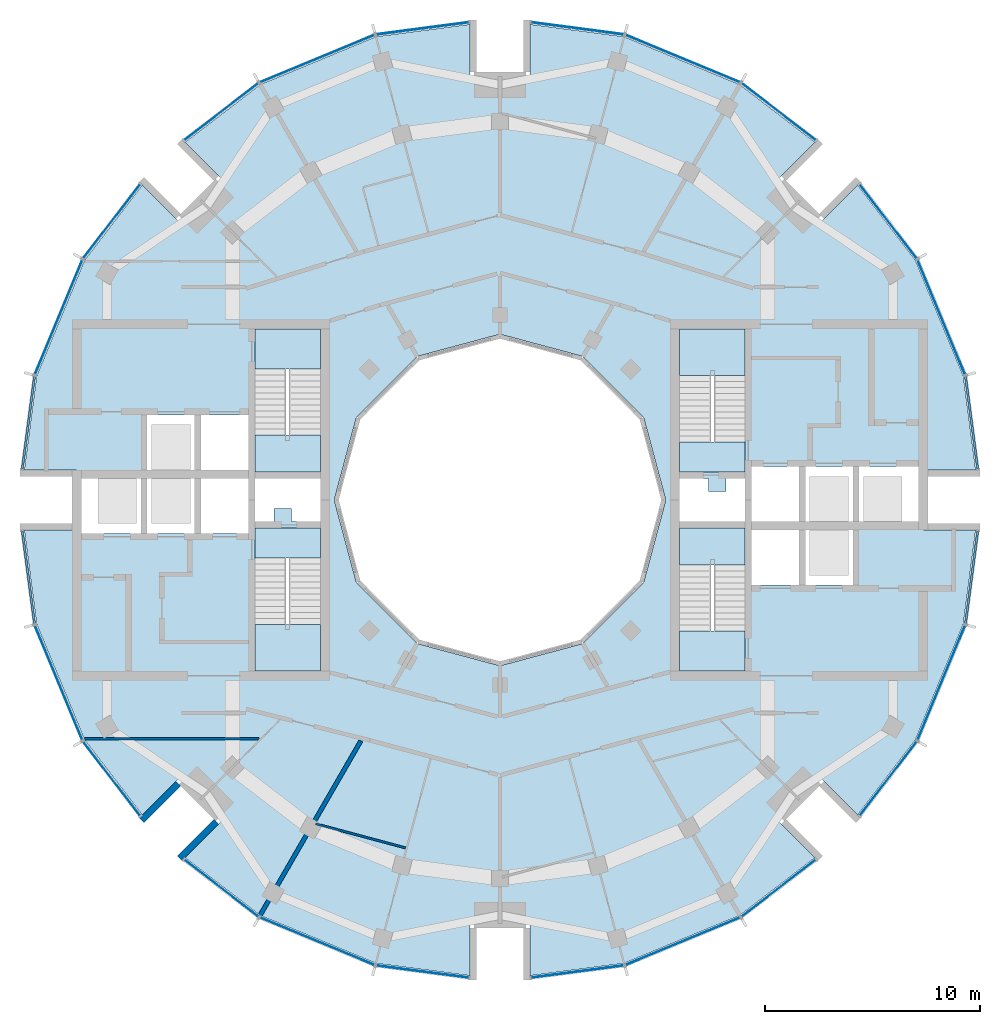
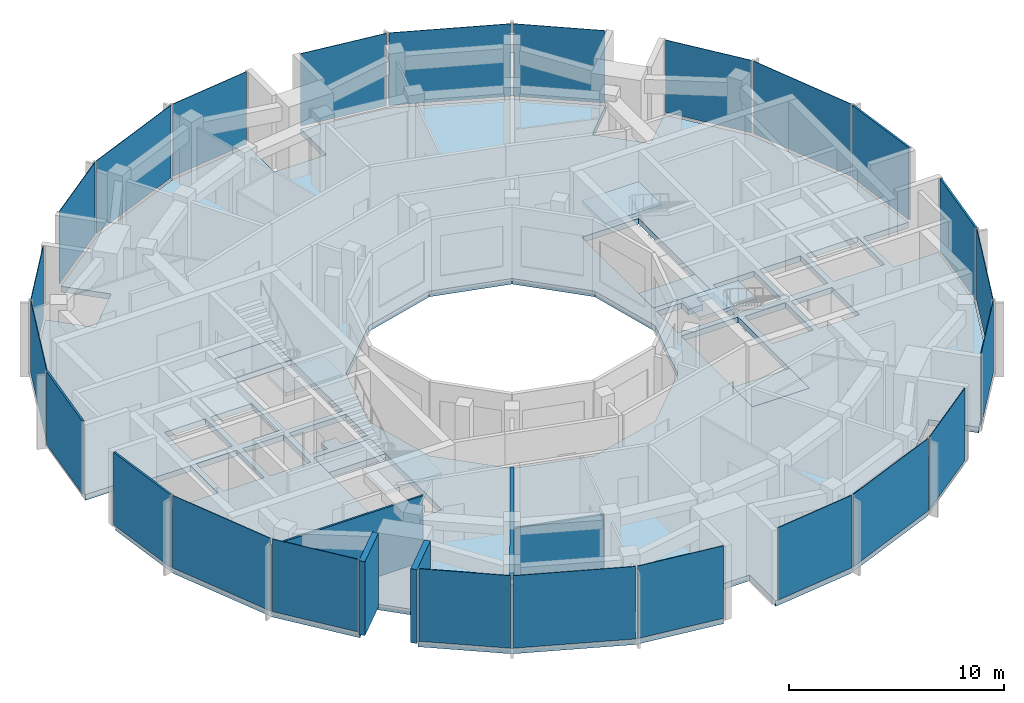
# One storey, part 7 of 14: 24 plates, 9 slabs, 5 walls, 28 elements without a shape of their own.
"""IFC4 building model written with IfcOpenShell, lengths in metres."""

from ifc_helpers import new_model, si_unit, direction, frame, frame_2d, origin, origin_2d, place, context, subcontext, project, spatial, polyline, rectangle, outline, extrude, material, layer, layer_set, type_object, element, aggregate, save


model = new_model("IFC4")

# Units and contexts
model_context = context("Model", 3, precision=1e-05, world=origin(), true_north=direction((0.0, 1.0)))
body_context = subcontext(model_context, "Body", "Model", "MODEL_VIEW")
ifc_project = project(units=[si_unit("LENGTHUNIT", "METRE"), si_unit("AREAUNIT", "SQUARE_METRE"), si_unit("VOLUMEUNIT", "CUBIC_METRE"), si_unit("PLANEANGLEUNIT", "RADIAN"), si_unit("MASSUNIT", "GRAM", prefix="KILO")], contexts=[model_context])

# Site, building, storey
site_placement = place(None, origin())
site = spatial("IfcSite", under=ifc_project, at=site_placement, CompositionType="ELEMENT")
building_placement = place(site_placement, origin())
building = spatial("IfcBuilding", under=site, at=building_placement, Name="Torre Brocal", CompositionType="ELEMENT")
storey_placement = place(building_placement, frame((0.0, 0.0, 305.10009765625)))
storey = spatial("IfcBuildingStorey", under=building, at=storey_placement, Name="L70", CompositionType="ELEMENT", Elevation=305.10009765625)

# Curtain wall, plate
ifc_material_1 = material(Name="Aluminium and glass", Category="aluminium")
ifc_layer_1 = layer(ifc_material_1, 0.199951171875)
ifc_layer_set_1 = layer_set([ifc_layer_1], Name="Aluminium and glass")
curtain_wall_type_1 = type_object("IfcCurtainWallType", Name="CW-1 CURTAIN WALL 4200 HIGH", PredefinedType="NOTDEFINED", material=ifc_layer_set_1)
curtain_wall_1_placement = place(storey_placement, origin())
curtain_wall_1 = element("IfcCurtainWall", 1, at=curtain_wall_1_placement, inside=storey, type_object=curtain_wall_type_1, Name="CW-1 RUN 2", PredefinedType="NOTDEFINED")
ifc_material_2 = material(Name="Glass, dark tinted laminated", Category="glass")
ifc_layer_2 = layer(ifc_material_2, 0.031982421875)
ifc_layer_set_2 = layer_set([ifc_layer_2], Name="Glass, dark tinted laminated")
plate_type_1 = type_object("IfcPlateType", Name="CW-1 GLASS PANEL 32", PredefinedType="CURTAIN_PANEL", material=ifc_layer_set_2)
plate_1_placement = place(storey_placement, frame((100.51708984375, 83.49853515625, 0.079833984375), z_axis=(0.0, 0.0, 1.0), x_axis=(-0.382683432284, 0.923879532545, 0.0)))
plate_1 = element("IfcPlate", 2, at=plate_1_placement, type_object=plate_type_1, Name="CW1-5 panel 1.1", PredefinedType="CURTAIN_PANEL", context=body_context, shape_type="SweptSolid", body=[
    extrude(rectangle(XDim=5.727294921875, YDim=0.031982421875, at=origin_2d()), origin(), (0.0, 0.0, 1.0), 4.1201171875),
])
aggregate(curtain_wall_1, [plate_1])

curtain_wall_2_placement = place(storey_placement, origin())
curtain_wall_2 = element("IfcCurtainWall", 3, at=curtain_wall_2_placement, inside=storey, type_object=curtain_wall_type_1, Name="CW-1 RUN 3", PredefinedType="NOTDEFINED")
plate_2_placement = place(storey_placement, frame((98.048095703125, 87.958984375, 0.079833984375), z_axis=(0.0, 0.0, 1.0), x_axis=(-0.608761429064, 0.793353340249, 0.0)))
plate_2 = element("IfcPlate", 4, at=plate_2_placement, type_object=plate_type_1, Name="CW1-5 panel 1.1", PredefinedType="CURTAIN_PANEL", context=body_context, shape_type="SweptSolid", body=[
    extrude(rectangle(XDim=4.315185546875, YDim=0.031982421875, at=origin_2d()), origin(), (0.0, 0.0, 1.0), 4.1201171875),
])
aggregate(curtain_wall_2, [plate_2])

curtain_wall_3_placement = place(storey_placement, origin())
curtain_wall_3 = element("IfcCurtainWall", 5, at=curtain_wall_3_placement, inside=storey, type_object=curtain_wall_type_1, Name="CW-1 RUN 4", PredefinedType="NOTDEFINED")
plate_3_placement = place(storey_placement, frame((92.958984375, 93.048095703125, 0.079833984375), z_axis=(0.0, 0.0, 1.0), x_axis=(-0.793353340249, 0.608761429064, 0.0)))
plate_3 = element("IfcPlate", 6, at=plate_3_placement, type_object=plate_type_1, Name="CW1-5 panel 1.1", PredefinedType="CURTAIN_PANEL", context=body_context, shape_type="SweptSolid", body=[
    extrude(rectangle(XDim=4.315185546875, YDim=0.031982421875, at=origin_2d()), origin(), (0.0, 0.0, 1.0), 4.1201171875),
])
aggregate(curtain_wall_3, [plate_3])

curtain_wall_4_placement = place(storey_placement, origin())
curtain_wall_4 = element("IfcCurtainWall", 7, at=curtain_wall_4_placement, inside=storey, type_object=curtain_wall_type_1, Name="CW-1 RUN 5", PredefinedType="NOTDEFINED")
plate_4_placement = place(storey_placement, frame((88.49853515625, 95.51708984375, 0.079833984375), z_axis=(0.0, 0.0, 1.0), x_axis=(-0.923879532545, 0.382683432284, 0.0)))
plate_4 = element("IfcPlate", 8, at=plate_4_placement, type_object=plate_type_1, Name="CW1-5 panel 1.1", PredefinedType="CURTAIN_PANEL", context=body_context, shape_type="SweptSolid", body=[
    extrude(rectangle(XDim=5.727294921875, YDim=0.031982421875, at=origin_2d()), origin(), (0.0, 0.0, 1.0), 4.1201171875),
])
aggregate(curtain_wall_4, [plate_4])

curtain_wall_5_placement = place(storey_placement, origin())
curtain_wall_5 = element("IfcCurtainWall", 9, at=curtain_wall_5_placement, inside=storey, type_object=curtain_wall_type_1, Name="CW-1 RUN 6", PredefinedType="NOTDEFINED")
plate_5_placement = place(storey_placement, frame((83.5986328125, 96.92529296875, 0.079833984375), z_axis=(0.0, 0.0, 1.0), x_axis=(-0.991444861374, 0.13052619222, 0.0)))
plate_5 = element("IfcPlate", 10, at=plate_5_placement, type_object=plate_type_1, Name="CW1-5 panel 1.1", PredefinedType="CURTAIN_PANEL", context=body_context, shape_type="SweptSolid", body=[
    extrude(rectangle(XDim=4.315185546875, YDim=0.031982421875, at=origin_2d()), origin(), (0.0, 0.0, 1.0), 4.1201171875),
])
aggregate(curtain_wall_5, [plate_5])

curtain_wall_6_placement = place(storey_placement, origin())
curtain_wall_6 = element("IfcCurtainWall", 11, at=curtain_wall_6_placement, inside=storey, type_object=curtain_wall_type_1, Name="CW-1 RUN 7", PredefinedType="NOTDEFINED")
plate_6_placement = place(storey_placement, frame((76.4013671875, 96.92529296875, 0.079833984375), z_axis=(0.0, 0.0, 1.0), x_axis=(-0.991444861374, -0.13052619222, 0.0)))
plate_6 = element("IfcPlate", 12, at=plate_6_placement, type_object=plate_type_1, Name="CW1-5 panel 1.1", PredefinedType="CURTAIN_PANEL", context=body_context, shape_type="SweptSolid", body=[
    extrude(rectangle(XDim=4.315185546875, YDim=0.031982421875, at=origin_2d()), origin(), (0.0, 0.0, 1.0), 4.1201171875),
])
aggregate(curtain_wall_6, [plate_6])

curtain_wall_7_placement = place(storey_placement, origin())
curtain_wall_7 = element("IfcCurtainWall", 13, at=curtain_wall_7_placement, inside=storey, type_object=curtain_wall_type_1, Name="CW-1 RUN 8", PredefinedType="NOTDEFINED")
plate_7_placement = place(storey_placement, frame((71.50146484375, 95.51708984375, 0.079833984375), z_axis=(0.0, 0.0, 1.0), x_axis=(-0.923879532545, -0.382683432284, 0.0)))
plate_7 = element("IfcPlate", 14, at=plate_7_placement, type_object=plate_type_1, Name="CW1-5 panel 1.1", PredefinedType="CURTAIN_PANEL", context=body_context, shape_type="SweptSolid", body=[
    extrude(rectangle(XDim=5.727294921875, YDim=0.031982421875, at=origin_2d()), origin(), (0.0, 0.0, 1.0), 4.1201171875),
])
aggregate(curtain_wall_7, [plate_7])

curtain_wall_8_placement = place(storey_placement, origin())
curtain_wall_8 = element("IfcCurtainWall", 15, at=curtain_wall_8_placement, inside=storey, type_object=curtain_wall_type_1, Name="CW-1 RUN 9", PredefinedType="NOTDEFINED")
plate_8_placement = place(storey_placement, frame((67.041015625, 93.048095703125, 0.079833984375), z_axis=(0.0, 0.0, 1.0), x_axis=(-0.793353340249, -0.608761429064, 0.0)))
plate_8 = element("IfcPlate", 16, at=plate_8_placement, type_object=plate_type_1, Name="CW1-5 panel 1.1", PredefinedType="CURTAIN_PANEL", context=body_context, shape_type="SweptSolid", body=[
    extrude(rectangle(XDim=4.315185546875, YDim=0.031982421875, at=origin_2d()), origin(), (0.0, 0.0, 1.0), 4.1201171875),
])
aggregate(curtain_wall_8, [plate_8])

curtain_wall_9_placement = place(storey_placement, origin())
curtain_wall_9 = element("IfcCurtainWall", 17, at=curtain_wall_9_placement, inside=storey, type_object=curtain_wall_type_1, Name="CW-1 RUN 10", PredefinedType="NOTDEFINED")
plate_9_placement = place(storey_placement, frame((61.951904296875, 87.958984375, 0.079833984375), z_axis=(0.0, 0.0, 1.0), x_axis=(-0.608761429064, -0.793353340249, 0.0)))
plate_9 = element("IfcPlate", 18, at=plate_9_placement, type_object=plate_type_1, Name="CW1-5 panel 1.1", PredefinedType="CURTAIN_PANEL", context=body_context, shape_type="SweptSolid", body=[
    extrude(rectangle(XDim=4.315185546875, YDim=0.031982421875, at=origin_2d()), origin(), (0.0, 0.0, 1.0), 4.1201171875),
])
aggregate(curtain_wall_9, [plate_9])

curtain_wall_10_placement = place(storey_placement, origin())
curtain_wall_10 = element("IfcCurtainWall", 19, at=curtain_wall_10_placement, inside=storey, type_object=curtain_wall_type_1, Name="CW-1 RUN 11", PredefinedType="NOTDEFINED")
plate_10_placement = place(storey_placement, frame((59.48291015625, 83.49853515625, 0.079833984375), z_axis=(0.0, 0.0, 1.0), x_axis=(-0.382683432284, -0.923879532545, 0.0)))
plate_10 = element("IfcPlate", 20, at=plate_10_placement, type_object=plate_type_1, Name="CW1-5 panel 1.1", PredefinedType="CURTAIN_PANEL", context=body_context, shape_type="SweptSolid", body=[
    extrude(rectangle(XDim=5.727294921875, YDim=0.031982421875, at=origin_2d()), origin(), (0.0, 0.0, 1.0), 4.1201171875),
])
aggregate(curtain_wall_10, [plate_10])

curtain_wall_11_placement = place(storey_placement, origin())
curtain_wall_11 = element("IfcCurtainWall", 21, at=curtain_wall_11_placement, inside=storey, type_object=curtain_wall_type_1, Name="CW-1 RUN 14", PredefinedType="NOTDEFINED")
plate_11_placement = place(storey_placement, frame((59.48291015625, 66.50146484375, 0.079833984375), z_axis=(0.0, 0.0, 1.0), x_axis=(0.382683432284, -0.923879532545, 0.0)))
plate_11 = element("IfcPlate", 22, at=plate_11_placement, type_object=plate_type_1, Name="CW1-5 panel 1.1", PredefinedType="CURTAIN_PANEL", context=body_context, shape_type="SweptSolid", body=[
    extrude(rectangle(XDim=5.727294921875, YDim=0.031982421875, at=origin_2d()), origin(), (0.0, 0.0, 1.0), 4.1201171875),
])
aggregate(curtain_wall_11, [plate_11])

curtain_wall_12_placement = place(storey_placement, origin())
curtain_wall_12 = element("IfcCurtainWall", 23, at=curtain_wall_12_placement, inside=storey, type_object=curtain_wall_type_1, Name="CW-1 RUN 15", PredefinedType="NOTDEFINED")
plate_12_placement = place(storey_placement, frame((61.951904296875, 62.041015625, 0.079833984375), z_axis=(0.0, 0.0, 1.0), x_axis=(0.608761429064, -0.793353340249, 0.0)))
plate_12 = element("IfcPlate", 24, at=plate_12_placement, type_object=plate_type_1, Name="CW1-5 panel 1.1", PredefinedType="CURTAIN_PANEL", context=body_context, shape_type="SweptSolid", body=[
    extrude(rectangle(XDim=4.315185546875, YDim=0.031982421875, at=origin_2d()), origin(), (0.0, 0.0, 1.0), 4.1201171875),
])
aggregate(curtain_wall_12, [plate_12])

curtain_wall_13_placement = place(storey_placement, origin())
curtain_wall_13 = element("IfcCurtainWall", 25, at=curtain_wall_13_placement, inside=storey, type_object=curtain_wall_type_1, Name="CW-1 RUN 16", PredefinedType="NOTDEFINED")
plate_13_placement = place(storey_placement, frame((67.041015625, 56.951904296875, 0.079833984375), z_axis=(0.0, 0.0, 1.0), x_axis=(0.793353340249, -0.608761429064, 0.0)))
plate_13 = element("IfcPlate", 26, at=plate_13_placement, type_object=plate_type_1, Name="CW1-5 panel 1.1", PredefinedType="CURTAIN_PANEL", context=body_context, shape_type="SweptSolid", body=[
    extrude(rectangle(XDim=4.315185546875, YDim=0.031982421875, at=origin_2d()), origin(), (0.0, 0.0, 1.0), 4.1201171875),
])
aggregate(curtain_wall_13, [plate_13])

curtain_wall_14_placement = place(storey_placement, origin())
curtain_wall_14 = element("IfcCurtainWall", 27, at=curtain_wall_14_placement, inside=storey, type_object=curtain_wall_type_1, Name="CW-1 RUN 17", PredefinedType="NOTDEFINED")
plate_14_placement = place(storey_placement, frame((71.50146484375, 54.48291015625, 0.079833984375), z_axis=(0.0, 0.0, 1.0), x_axis=(0.923879532545, -0.382683432284, 0.0)))
plate_14 = element("IfcPlate", 28, at=plate_14_placement, type_object=plate_type_1, Name="CW1-5 panel 1.1", PredefinedType="CURTAIN_PANEL", context=body_context, shape_type="SweptSolid", body=[
    extrude(rectangle(XDim=5.727294921875, YDim=0.031982421875, at=origin_2d()), origin(), (0.0, 0.0, 1.0), 4.1201171875),
])
aggregate(curtain_wall_14, [plate_14])

curtain_wall_15_placement = place(storey_placement, origin())
curtain_wall_15 = element("IfcCurtainWall", 29, at=curtain_wall_15_placement, inside=storey, type_object=curtain_wall_type_1, Name="CW-1 RUN 18", PredefinedType="NOTDEFINED")
plate_15_placement = place(storey_placement, frame((76.4013671875, 53.07470703125, 0.079833984375), z_axis=(0.0, 0.0, 1.0), x_axis=(0.991444861374, -0.13052619222, 0.0)))
plate_15 = element("IfcPlate", 30, at=plate_15_placement, type_object=plate_type_1, Name="CW1-5 panel 1.1", PredefinedType="CURTAIN_PANEL", context=body_context, shape_type="SweptSolid", body=[
    extrude(rectangle(XDim=4.315185546875, YDim=0.031982421875, at=origin_2d()), origin(), (0.0, 0.0, 1.0), 4.1201171875),
])
aggregate(curtain_wall_15, [plate_15])

curtain_wall_16_placement = place(storey_placement, origin())
curtain_wall_16 = element("IfcCurtainWall", 31, at=curtain_wall_16_placement, inside=storey, type_object=curtain_wall_type_1, Name="CW-1 RUN 19", PredefinedType="NOTDEFINED")
plate_16_placement = place(storey_placement, frame((83.5986328125, 53.07470703125, 0.079833984375), z_axis=(0.0, 0.0, 1.0), x_axis=(0.991444861374, 0.13052619222, 0.0)))
plate_16 = element("IfcPlate", 32, at=plate_16_placement, type_object=plate_type_1, Name="CW1-5 panel 1.1", PredefinedType="CURTAIN_PANEL", context=body_context, shape_type="SweptSolid", body=[
    extrude(rectangle(XDim=4.315185546875, YDim=0.031982421875, at=origin_2d()), origin(), (0.0, 0.0, 1.0), 4.1201171875),
])
aggregate(curtain_wall_16, [plate_16])

curtain_wall_17_placement = place(storey_placement, origin())
curtain_wall_17 = element("IfcCurtainWall", 33, at=curtain_wall_17_placement, inside=storey, type_object=curtain_wall_type_1, Name="CW-1 RUN 20", PredefinedType="NOTDEFINED")
plate_17_placement = place(storey_placement, frame((88.49853515625, 54.48291015625, 0.079833984375), z_axis=(0.0, 0.0, 1.0), x_axis=(0.923879532545, 0.382683432284, 0.0)))
plate_17 = element("IfcPlate", 34, at=plate_17_placement, type_object=plate_type_1, Name="CW1-5 panel 1.1", PredefinedType="CURTAIN_PANEL", context=body_context, shape_type="SweptSolid", body=[
    extrude(rectangle(XDim=5.727294921875, YDim=0.031982421875, at=origin_2d()), origin(), (0.0, 0.0, 1.0), 4.1201171875),
])
aggregate(curtain_wall_17, [plate_17])

curtain_wall_18_placement = place(storey_placement, origin())
curtain_wall_18 = element("IfcCurtainWall", 35, at=curtain_wall_18_placement, inside=storey, type_object=curtain_wall_type_1, Name="CW-1 RUN 21", PredefinedType="NOTDEFINED")
plate_18_placement = place(storey_placement, frame((92.958984375, 56.951904296875, 0.079833984375), z_axis=(0.0, 0.0, 1.0), x_axis=(0.793353340249, 0.608761429064, 0.0)))
plate_18 = element("IfcPlate", 36, at=plate_18_placement, type_object=plate_type_1, Name="CW1-5 panel 1.1", PredefinedType="CURTAIN_PANEL", context=body_context, shape_type="SweptSolid", body=[
    extrude(rectangle(XDim=4.315185546875, YDim=0.031982421875, at=origin_2d()), origin(), (0.0, 0.0, 1.0), 4.1201171875),
])
aggregate(curtain_wall_18, [plate_18])

curtain_wall_19_placement = place(storey_placement, origin())
curtain_wall_19 = element("IfcCurtainWall", 37, at=curtain_wall_19_placement, inside=storey, type_object=curtain_wall_type_1, Name="CW-1 RUN 22", PredefinedType="NOTDEFINED")
plate_19_placement = place(storey_placement, frame((98.048095703125, 62.041015625, 0.079833984375), z_axis=(0.0, 0.0, 1.0), x_axis=(0.608761429064, 0.793353340249, 0.0)))
plate_19 = element("IfcPlate", 38, at=plate_19_placement, type_object=plate_type_1, Name="CW1-5 panel 1.1", PredefinedType="CURTAIN_PANEL", context=body_context, shape_type="SweptSolid", body=[
    extrude(rectangle(XDim=4.315185546875, YDim=0.031982421875, at=origin_2d()), origin(), (0.0, 0.0, 1.0), 4.1201171875),
])
aggregate(curtain_wall_19, [plate_19])

curtain_wall_20_placement = place(storey_placement, origin())
curtain_wall_20 = element("IfcCurtainWall", 39, at=curtain_wall_20_placement, inside=storey, type_object=curtain_wall_type_1, Name="CW-1 RUN 23", PredefinedType="NOTDEFINED")
plate_20_placement = place(storey_placement, frame((100.51708984375, 66.50146484375, 0.079833984375), z_axis=(0.0, 0.0, 1.0), x_axis=(0.382683432284, 0.923879532545, 0.0)))
plate_20 = element("IfcPlate", 40, at=plate_20_placement, type_object=plate_type_1, Name="CW1-5 panel 1.1", PredefinedType="CURTAIN_PANEL", context=body_context, shape_type="SweptSolid", body=[
    extrude(rectangle(XDim=5.727294921875, YDim=0.031982421875, at=origin_2d()), origin(), (0.0, 0.0, 1.0), 4.1201171875),
])
aggregate(curtain_wall_20, [plate_20])

ifc_material_3 = material(Name="Aluminium and glass", Category="aluminium")
ifc_layer_3 = layer(ifc_material_3, 0.199951171875)
ifc_layer_set_3 = layer_set([ifc_layer_3], Name="Aluminium and glass")
curtain_wall_type_2 = type_object("IfcCurtainWallType", Name="CW-1B CURTAIN WALL 4200 HIGH", PredefinedType="NOTDEFINED", material=ifc_layer_set_3)
curtain_wall_21_placement = place(storey_placement, origin())
curtain_wall_21 = element("IfcCurtainWall", 41, at=curtain_wall_21_placement, inside=storey, type_object=curtain_wall_type_2, Name="CW-1B RUN 1", PredefinedType="NOTDEFINED")
ifc_material_4 = material(Name="Aluminium composite panel", Category="aluminium")
ifc_layer_4 = layer(ifc_material_4, 0.10009765625)
ifc_layer_set_4 = layer_set([ifc_layer_4], Name="Aluminium composite panel")
plate_type_2 = type_object("IfcPlateType", Name="CW-1B OPAQUE PANEL 100", PredefinedType="CURTAIN_PANEL", material=ifc_layer_set_4)
plate_21_placement = place(storey_placement, frame((101.92529296875, 78.5986328125, 0.079833984375), z_axis=(0.0, 0.0, 1.0), x_axis=(-0.13052619222, 0.991444861374, 0.0)))
plate_21 = element("IfcPlate", 42, at=plate_21_placement, type_object=plate_type_2, Name="CW1B-5 panel 1.1", PredefinedType="CURTAIN_PANEL", context=body_context, shape_type="SweptSolid", body=[
    extrude(rectangle(XDim=4.315185546875, YDim=0.10009765625, at=origin_2d()), origin(), (0.0, 0.0, 1.0), 4.1201171875),
])
aggregate(curtain_wall_21, [plate_21])

curtain_wall_22_placement = place(storey_placement, origin())
curtain_wall_22 = element("IfcCurtainWall", 43, at=curtain_wall_22_placement, inside=storey, type_object=curtain_wall_type_2, Name="CW-1B RUN 12", PredefinedType="NOTDEFINED")
plate_22_placement = place(storey_placement, frame((58.07470703125, 78.5986328125, 0.079833984375), z_axis=(0.0, 0.0, 1.0), x_axis=(-0.13052619222, -0.991444861374, 0.0)))
plate_22 = element("IfcPlate", 44, at=plate_22_placement, type_object=plate_type_2, Name="CW1B-5 panel 1.1", PredefinedType="CURTAIN_PANEL", context=body_context, shape_type="SweptSolid", body=[
    extrude(rectangle(XDim=4.315185546875, YDim=0.10009765625, at=origin_2d()), origin(), (0.0, 0.0, 1.0), 4.1201171875),
])
aggregate(curtain_wall_22, [plate_22])

curtain_wall_23_placement = place(storey_placement, origin())
curtain_wall_23 = element("IfcCurtainWall", 45, at=curtain_wall_23_placement, inside=storey, type_object=curtain_wall_type_2, Name="CW-1B RUN 13", PredefinedType="NOTDEFINED")
plate_23_placement = place(storey_placement, frame((58.07470703125, 71.4013671875, 0.079833984375), z_axis=(0.0, 0.0, 1.0), x_axis=(0.13052619222, -0.991444861374, 0.0)))
plate_23 = element("IfcPlate", 46, at=plate_23_placement, type_object=plate_type_2, Name="CW1B-5 panel 1.1", PredefinedType="CURTAIN_PANEL", context=body_context, shape_type="SweptSolid", body=[
    extrude(rectangle(XDim=4.315185546875, YDim=0.10009765625, at=origin_2d()), origin(), (0.0, 0.0, 1.0), 4.1201171875),
])
aggregate(curtain_wall_23, [plate_23])

curtain_wall_24_placement = place(storey_placement, origin())
curtain_wall_24 = element("IfcCurtainWall", 47, at=curtain_wall_24_placement, inside=storey, type_object=curtain_wall_type_2, Name="CW-1B RUN 24", PredefinedType="NOTDEFINED")
plate_24_placement = place(storey_placement, frame((101.92529296875, 71.4013671875, 0.079833984375), z_axis=(0.0, 0.0, 1.0), x_axis=(0.13052619222, 0.991444861374, 0.0)))
plate_24 = element("IfcPlate", 48, at=plate_24_placement, type_object=plate_type_2, Name="CW1B-5 panel 1.1", PredefinedType="CURTAIN_PANEL", context=body_context, shape_type="SweptSolid", body=[
    extrude(rectangle(XDim=4.315185546875, YDim=0.10009765625, at=origin_2d()), origin(), (0.0, 0.0, 1.0), 4.1201171875),
])
aggregate(curtain_wall_24, [plate_24])

# Stair, slab
ifc_material_5 = material(Name="Concrete C50", Category="concrete")
stair_type = type_object("IfcStairType", Name="EXIT STAIR", PredefinedType="HALF_TURN_STAIR", material=ifc_material_5)
stair_1_placement = place(storey_placement, origin())
stair_1 = element("IfcStair", 49, at=stair_1_placement, inside=storey, type_object=stair_type, Name="EXIT STAIR ST1", PredefinedType="HALF_TURN_STAIR")
ifc_material_6 = material(Name="Concrete C50", Category="concrete")
ifc_layer_5 = layer(ifc_material_6, 0.320068359375)
ifc_layer_set_5 = layer_set([ifc_layer_5], Name="Concrete C50")
slab_type_1 = type_object("IfcSlabType", Name="FLOOR LANDING 320", PredefinedType="LANDING", material=ifc_layer_set_5)
slab_1_placement = place(storey_placement, frame((0.0, 0.0, -0.320068359375)))
slab_1 = element("IfcSlab", 50, at=slab_1_placement, type_object=slab_type_1, Name="ST1 landing 1", PredefinedType="LANDING", context=body_context, shape_type="SweptSolid", body=[
    extrude(outline(polyline([(88.35009765625, 76.300048828125), (91.39990234375, 76.300048828125), (91.39990234375, 77.699951171875), (88.35009765625, 77.699951171875), (88.35009765625, 76.300048828125)])), origin(), (0.0, 0.0, 1.0), 0.320068359375),
])

stair_2_placement = place(storey_placement, origin())
stair_2 = element("IfcStair", 51, at=stair_2_placement, inside=storey, type_object=stair_type, Name="EXIT STAIR ST2", PredefinedType="HALF_TURN_STAIR")
slab_2_placement = place(storey_placement, frame((0.0, 0.0, -0.320068359375)))
slab_2 = element("IfcSlab", 52, at=slab_2_placement, type_object=slab_type_1, Name="ST2 landing 1", PredefinedType="LANDING", context=body_context, shape_type="SweptSolid", body=[
    extrude(outline(polyline([(88.35009765625, 67.050048828125), (91.39990234375, 67.050048828125), (91.39990234375, 68.89990234375), (88.35009765625, 68.89990234375), (88.35009765625, 67.050048828125)])), origin(), (0.0, 0.0, 1.0), 0.320068359375),
])

stair_3_placement = place(storey_placement, origin())
stair_3 = element("IfcStair", 53, at=stair_3_placement, inside=storey, type_object=stair_type, Name="EXIT STAIR ST3", PredefinedType="HALF_TURN_STAIR")
slab_3_placement = place(storey_placement, frame((0.0, 0.0, -0.320068359375)))
slab_3 = element("IfcSlab", 54, at=slab_3_placement, type_object=slab_type_1, Name="ST3 landing 1", PredefinedType="LANDING", context=body_context, shape_type="SweptSolid", body=[
    extrude(outline(polyline([(71.64990234375, 73.699951171875), (68.60009765625, 73.699951171875), (68.60009765625, 72.300048828125), (71.64990234375, 72.300048828125), (71.64990234375, 73.699951171875)])), origin(), (0.0, 0.0, 1.0), 0.320068359375),
])

stair_4_placement = place(storey_placement, origin())
stair_4 = element("IfcStair", 55, at=stair_4_placement, inside=storey, type_object=stair_type, Name="EXIT STAIR ST4", PredefinedType="HALF_TURN_STAIR")
slab_4_placement = place(storey_placement, frame((0.0, 0.0, -0.320068359375)))
slab_4 = element("IfcSlab", 56, at=slab_4_placement, type_object=slab_type_1, Name="ST4 landing 1", PredefinedType="LANDING", context=body_context, shape_type="SweptSolid", body=[
    extrude(outline(polyline([(71.64990234375, 82.949951171875), (68.60009765625, 82.949951171875), (68.60009765625, 81.10009765625), (71.64990234375, 81.10009765625), (71.64990234375, 82.949951171875)])), origin(), (0.0, 0.0, 1.0), 0.320068359375),
])

# Slab
ifc_material_7 = material(Name="Concrete C50", Category="concrete")
ifc_layer_6 = layer(ifc_material_7, 0.199951171875)
ifc_layer_set_6 = layer_set([ifc_layer_6], Name="Concrete C50")
slab_type_2 = type_object("IfcSlabType", Name="MID LANDING +2100", PredefinedType="LANDING", material=ifc_layer_set_6)
slab_5_placement = place(storey_placement, frame((0.0, 0.0, 1.89990234375)))
slab_5 = element("IfcSlab", 57, at=slab_5_placement, type_object=slab_type_2, Name="ST1 landing 2", PredefinedType="LANDING", context=body_context, shape_type="SweptSolid", body=[
    extrude(outline(polyline([(88.35009765625, 80.780029296875), (91.39990234375, 80.780029296875), (91.39990234375, 82.949951171875), (88.35009765625, 82.949951171875), (88.35009765625, 80.780029296875)])), origin(), (0.0, 0.0, 1.0), 0.199951171875),
])

aggregate(stair_1, [slab_1, slab_5])

slab_6_placement = place(storey_placement, frame((0.0, 0.0, 1.89990234375)))
slab_6 = element("IfcSlab", 58, at=slab_6_placement, type_object=slab_type_2, Name="ST2 landing 2", PredefinedType="LANDING", context=body_context, shape_type="SweptSolid", body=[
    extrude(outline(polyline([(88.35009765625, 71.97998046875), (91.39990234375, 71.97998046875), (91.39990234375, 73.699951171875), (88.35009765625, 73.699951171875), (88.35009765625, 71.97998046875)])), origin(), (0.0, 0.0, 1.0), 0.199951171875),
])

aggregate(stair_2, [slab_2, slab_6])

slab_7_placement = place(storey_placement, frame((0.0, 0.0, 1.89990234375)))
slab_7 = element("IfcSlab", 59, at=slab_7_placement, type_object=slab_type_2, Name="ST3 landing 2", PredefinedType="LANDING", context=body_context, shape_type="SweptSolid", body=[
    extrude(outline(polyline([(71.64990234375, 69.219970703125), (68.60009765625, 69.219970703125), (68.60009765625, 67.050048828125), (71.64990234375, 67.050048828125), (71.64990234375, 69.219970703125)])), origin(), (0.0, 0.0, 1.0), 0.199951171875),
])

aggregate(stair_3, [slab_3, slab_7])

slab_8_placement = place(storey_placement, frame((0.0, 0.0, 1.89990234375)))
slab_8 = element("IfcSlab", 60, at=slab_8_placement, type_object=slab_type_2, Name="ST4 landing 2", PredefinedType="LANDING", context=body_context, shape_type="SweptSolid", body=[
    extrude(outline(polyline([(71.64990234375, 78.02001953125), (68.60009765625, 78.02001953125), (68.60009765625, 76.300048828125), (71.64990234375, 76.300048828125), (71.64990234375, 78.02001953125)])), origin(), (0.0, 0.0, 1.0), 0.199951171875),
])

aggregate(stair_4, [slab_4, slab_8])

ifc_material_8 = material(Name="Concrete C45", Category="concrete")
ifc_layer_7 = layer(ifc_material_8, 0.320068359375)
ifc_layer_set_7 = layer_set([ifc_layer_7], Name="Concrete C45")
slab_type_3 = type_object("IfcSlabType", Name="PT FLOOR SLAB 320 C45", PredefinedType="FLOOR", material=ifc_layer_set_7)
slab_9_placement = place(storey_placement, frame((0.0, 0.0, -0.320068359375)))
element("IfcSlab", 61, at=slab_9_placement, inside=storey, type_object=slab_type_3, Name="Slab ST-05", PredefinedType="FLOOR", context=body_context, shape_type="SweptSolid", body=[
    extrude(outline(polyline([(99.699951171875, 76.39990234375), (99.699951171875, 73.60009765625), (102.114013671875, 73.60009765625), (101.53857421875, 69.228759765625), (99.310791015625, 63.850830078125), (96.626953125, 60.35302734375), (94.919921875, 62.06005859375), (92.93994140625, 60.080078125), (94.64697265625, 58.373046875), (91.149169921875, 55.689208984375), (85.771240234375, 53.46142578125), (81.39990234375, 52.885986328125), (81.39990234375, 55.300048828125), (78.60009765625, 55.300048828125), (78.60009765625, 52.885986328125), (74.228759765625, 53.46142578125), (68.850830078125, 55.689208984375), (65.35302734375, 58.373046875), (67.06005859375, 60.080078125), (65.080078125, 62.06005859375), (63.373046875, 60.35302734375), (60.689208984375, 63.850830078125), (58.46142578125, 69.228759765625), (57.885986328125, 73.60009765625), (60.300048828125, 73.60009765625), (60.300048828125, 76.39990234375), (57.885986328125, 76.39990234375), (58.46142578125, 80.771240234375), (60.689208984375, 86.149169921875), (63.373046875, 89.64697265625), (65.080078125, 87.93994140625), (67.06005859375, 89.919921875), (65.35302734375, 91.626953125), (68.850830078125, 94.310791015625), (74.228759765625, 96.53857421875), (78.60009765625, 97.114013671875), (78.60009765625, 94.699951171875), (81.39990234375, 94.699951171875), (81.39990234375, 97.114013671875), (85.771240234375, 96.53857421875), (91.149169921875, 94.310791015625), (94.64697265625, 91.626953125), (92.93994140625, 89.919921875), (94.919921875, 87.93994140625), (96.626953125, 89.64697265625), (99.310791015625, 86.149169921875), (101.53857421875, 80.771240234375), (102.114013671875, 76.39990234375), (99.699951171875, 76.39990234375)]), holes=[polyline([(99.449951171875, 76.550048828125), (96.699951171875, 76.550048828125), (96.699951171875, 74.0), (99.449951171875, 74.0), (99.449951171875, 76.550048828125)]), polyline([(96.39990234375, 76.550048828125), (94.199951171875, 76.550048828125), (94.199951171875, 74.0), (96.39990234375, 74.0), (96.39990234375, 76.550048828125)]), polyline([(96.39990234375, 73.60009765625), (94.199951171875, 73.60009765625), (94.199951171875, 71.050048828125), (96.39990234375, 71.050048828125), (96.39990234375, 73.60009765625)]), polyline([(93.89990234375, 76.550048828125), (91.699951171875, 76.550048828125), (91.699951171875, 74.0), (93.89990234375, 74.0), (93.89990234375, 76.550048828125)]), polyline([(93.89990234375, 73.60009765625), (91.699951171875, 73.60009765625), (91.699951171875, 71.050048828125), (93.89990234375, 71.050048828125), (93.89990234375, 73.60009765625)]), polyline([(89.699951171875, 76.0), (88.35009765625, 76.0), (88.35009765625, 74.0), (91.39990234375, 74.0), (91.39990234375, 76.0), (90.5, 76.0), (90.5, 75.39990234375), (89.699951171875, 75.39990234375), (89.699951171875, 76.0)]), polyline([(91.39990234375, 82.949951171875), (88.35009765625, 82.949951171875), (88.35009765625, 76.300048828125), (91.39990234375, 76.300048828125), (91.39990234375, 82.949951171875)]), polyline([(91.39990234375, 73.699951171875), (88.35009765625, 73.699951171875), (88.35009765625, 67.050048828125), (91.39990234375, 67.050048828125), (91.39990234375, 73.699951171875)]), polyline([(80.0, 82.70703125), (76.146484375, 81.674560546875), (73.325439453125, 78.853515625), (72.29296875, 75.0), (73.325439453125, 71.146484375), (76.146484375, 68.325439453125), (80.0, 67.29296875), (83.853515625, 68.325439453125), (86.674560546875, 71.146484375), (87.70703125, 75.0), (86.674560546875, 78.853515625), (83.853515625, 81.674560546875), (80.0, 82.70703125)]), polyline([(70.300048828125, 74.0), (71.64990234375, 74.0), (71.64990234375, 76.0), (68.60009765625, 76.0), (68.60009765625, 74.0), (69.5, 74.0), (69.5, 74.60009765625), (70.300048828125, 74.60009765625), (70.300048828125, 74.0)]), polyline([(68.60009765625, 76.300048828125), (71.64990234375, 76.300048828125), (71.64990234375, 82.949951171875), (68.60009765625, 82.949951171875), (68.60009765625, 76.300048828125)]), polyline([(68.60009765625, 67.050048828125), (71.64990234375, 67.050048828125), (71.64990234375, 73.699951171875), (68.60009765625, 73.699951171875), (68.60009765625, 67.050048828125)]), polyline([(66.10009765625, 76.39990234375), (68.300048828125, 76.39990234375), (68.300048828125, 78.949951171875), (66.10009765625, 78.949951171875), (66.10009765625, 76.39990234375)]), polyline([(66.10009765625, 73.449951171875), (68.300048828125, 73.449951171875), (68.300048828125, 76.0), (66.10009765625, 76.0), (66.10009765625, 73.449951171875)]), polyline([(63.60009765625, 76.39990234375), (65.800048828125, 76.39990234375), (65.800048828125, 78.949951171875), (63.60009765625, 78.949951171875), (63.60009765625, 76.39990234375)]), polyline([(63.60009765625, 73.449951171875), (65.800048828125, 73.449951171875), (65.800048828125, 76.0), (63.60009765625, 76.0), (63.60009765625, 73.449951171875)]), polyline([(60.550048828125, 73.449951171875), (63.300048828125, 73.449951171875), (63.300048828125, 76.0), (60.550048828125, 76.0), (60.550048828125, 73.449951171875)])]), origin(), (0.0, 0.0, 1.0), 0.320068359375),
])

# Walls
ifc_material_9 = material(Name="Concrete C50", Category="concrete")
ifc_layer_8 = layer(ifc_material_9, 0.300048828125)
ifc_layer_set_8 = layer_set([ifc_layer_8], Name="Concrete C50")
wall_type_1 = type_object("IfcWallType", Name="NOTCH RETURN WALL 300 C50", PredefinedType="NOTDEFINED", material=ifc_layer_set_8)
for number, where, z_axis, x_axis, name in (
    (62, (65.044677734375, 61.8125, 0.0), (0.0, 0.0, 1.0), (-0.707106781187, -0.707106781187, 0.0), "NOTCH RETURN WALL"),
    (63, (66.8125, 60.044677734375, 0.0), (0.0, 0.0, 1.0), (-0.707106781187, -0.707106781187, 0.0), "NOTCH RETURN WALL"),
):
    element("IfcWall", number, at=place(storey_placement, frame(where, z_axis=z_axis, x_axis=x_axis)), inside=storey, type_object=wall_type_1, Name=name, PredefinedType="NOTDEFINED", context=body_context, shape_type="SweptSolid", body=[
        extrude(rectangle(XDim=2.415771484375, YDim=0.300048828125, at=frame_2d((1.2080078125, 0.0))), origin(), (0.0, 0.0, 1.0), 4.199951171875),
    ])
ifc_material_10 = material(Name="Gypsum board", Category="Gypsum")
ifc_layer_9 = layer(ifc_material_10, 0.10009765625)
ifc_layer_set_9 = layer_set([ifc_layer_9], Name="Gypsum board")
wall_type_2 = type_object("IfcWallType", Name="PARTITION 100", PredefinedType="PARTITIONING", material=ifc_layer_set_9)
wall_1_placement = place(storey_placement, frame((60.673095703125, 63.89990234375, 0.0), z_axis=(0.0, 0.0, 1.0), x_axis=(1.0, 0.0, 0.0)))
element("IfcWall", 64, at=wall_1_placement, inside=storey, type_object=wall_type_2, Name="BATHROOM WALL", PredefinedType="PARTITIONING", context=body_context, shape_type="SweptSolid", body=[
    extrude(rectangle(XDim=8.116943359375, YDim=0.10009765625, at=frame_2d((4.05859375, 0.0))), origin(), (0.0, 0.0, 1.0), 3.75),
])
ifc_material_11 = material(Name="Gypsum board", Category="Gypsum")
ifc_layer_10 = layer(ifc_material_11, 0.10009765625)
ifc_layer_set_10 = layer_set([ifc_layer_10], Name="Gypsum board")
wall_type_3 = type_object("IfcWallType", Name="PARTITION 100 UNDER BEAM 850", PredefinedType="PARTITIONING", material=ifc_layer_set_10)
wall_2_placement = place(storey_placement, frame((71.430419921875, 59.945556640625, 0.0), z_axis=(0.0, 0.0, 1.0), x_axis=(0.965877663225, -0.258998725254, 0.0)))
element("IfcWall", 65, at=wall_2_placement, inside=storey, type_object=wall_type_3, Name="BATHROOM WALL", PredefinedType="PARTITIONING", context=body_context, shape_type="SweptSolid", body=[
    extrude(rectangle(XDim=4.321044921875, YDim=0.10009765625, at=frame_2d((2.16064453125, 0.0))), origin(), (0.0, 0.0, 1.0), 3.349853515625),
])
ifc_material_12 = material(Name="Gypsum board", Category="Gypsum")
ifc_layer_11 = layer(ifc_material_12, 0.199951171875)
ifc_layer_set_11 = layer_set([ifc_layer_11], Name="Gypsum board")
wall_type_4 = type_object("IfcWallType", Name="PARTITION 200 EI60", PredefinedType="PARTITIONING", material=ifc_layer_set_11)
wall_3_placement = place(storey_placement, frame((68.84619140625, 55.6923828125, 0.0), z_axis=(0.0, 0.0, 1.0), x_axis=(0.500273689503, 0.865867331403, 0.0)))
element("IfcWall", 66, at=wall_3_placement, inside=storey, type_object=wall_type_4, Name="BATHROOM WALL", PredefinedType="PARTITIONING", context=body_context, shape_type="SweptSolid", body=[
    extrude(rectangle(XDim=9.366455078125, YDim=0.199951171875, at=frame_2d((4.68310546875, 0.0))), origin(), (0.0, 0.0, 1.0), 3.75),
])

save(model, "model.ifc")
